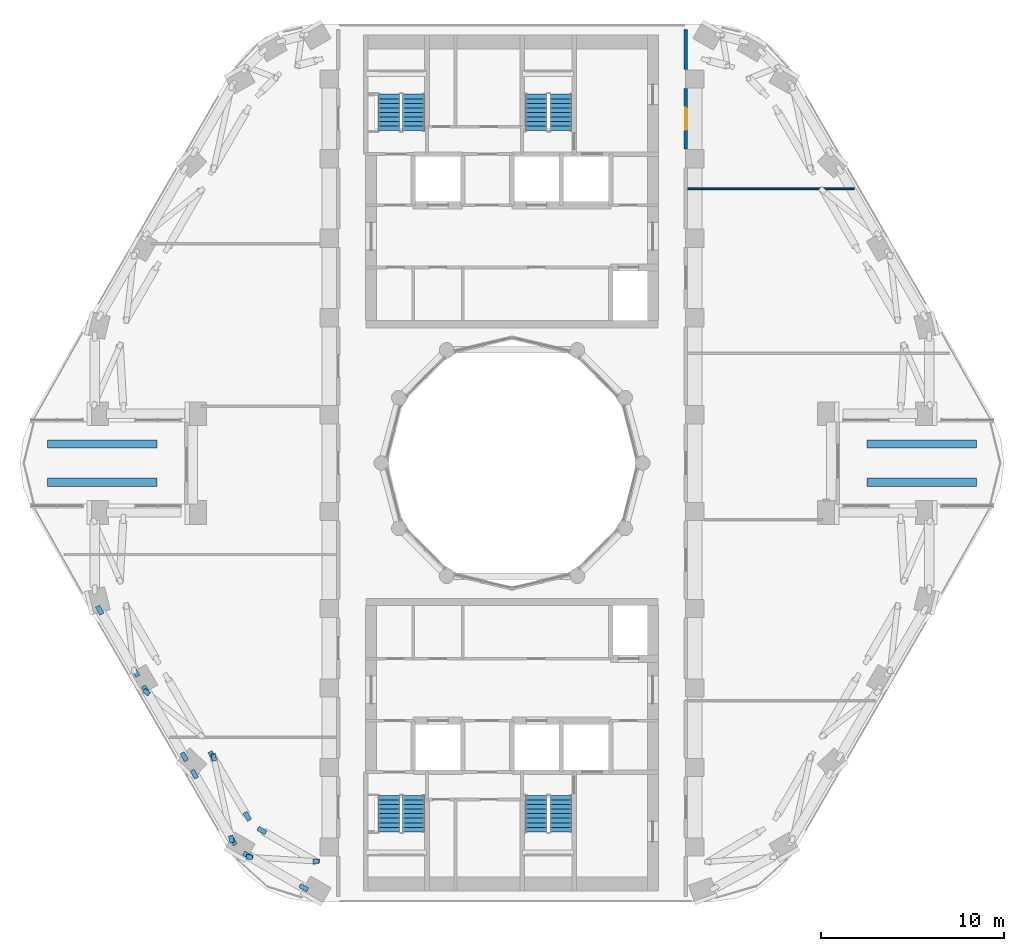
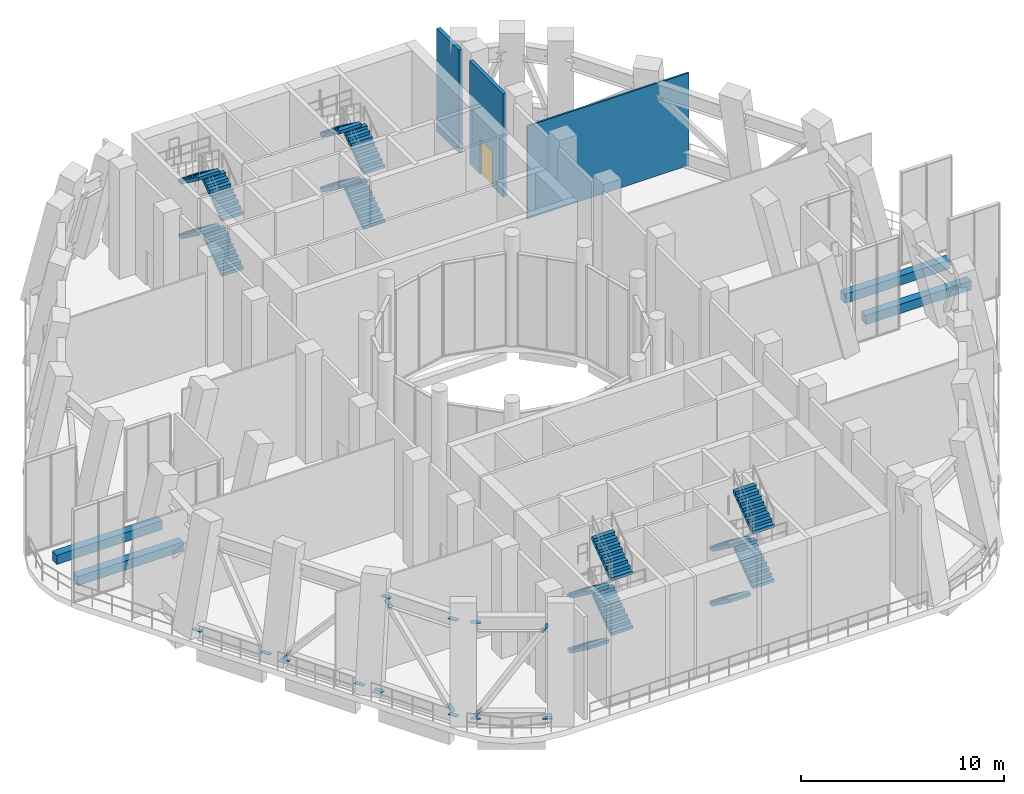
# One storey, part 11 of 19: 20 discrete accessories, 16 stair flights, 3 walls, 1 door, 1 opening, 4 elements without a shape of their own.
"""IFC4 building model written with IfcOpenShell, lengths in metres."""

from ifc_helpers import new_model, si_unit, direction, frame, frame_2d, origin, origin_2d, place, context, subcontext, project, spatial, polyline, rectangle, outline, extrude, material, layer, layer_set, material_profile, profile_set, type_object, element, fill, aggregate, save


model = new_model("IFC4")

# Units and contexts
model_context = context("Model", 3, precision=1e-05, world=origin(), true_north=direction((0.0, 1.0)))
body_context = subcontext(model_context, "Body", "Model", "MODEL_VIEW")
ifc_project = project(units=[si_unit("LENGTHUNIT", "METRE"), si_unit("AREAUNIT", "SQUARE_METRE"), si_unit("VOLUMEUNIT", "CUBIC_METRE"), si_unit("PLANEANGLEUNIT", "RADIAN"), si_unit("MASSUNIT", "GRAM", prefix="KILO")], contexts=[model_context])

# Site, building, storey
site_placement = place(None, origin())
site = spatial("IfcSite", under=ifc_project, at=site_placement, CompositionType="ELEMENT")
building_placement = place(site_placement, origin())
building = spatial("IfcBuilding", under=site, at=building_placement, Name="Nakaniwa Court", CompositionType="ELEMENT")
storey_placement = place(building_placement, frame((0.0, 0.0, 170.10009765625)))
storey = spatial("IfcBuildingStorey", under=building, at=storey_placement, Name="S3", CompositionType="ELEMENT", Elevation=170.10009765625)

# Wall, opening, door
ifc_material_1 = material(Name="Acoustic double stud partition")
ifc_layer_1 = layer(ifc_material_1, 0.199951171875)
ifc_layer_set_1 = layer_set([ifc_layer_1], Name="Acoustic double stud partition")
wall_type_1 = type_object("IfcWallType", Name="Acoustic double stud partition 200", PredefinedType="PARTITIONING", material=ifc_layer_set_1)
wall_1_placement = place(storey_placement, frame((89.5, 100.48291015625, 0.0), z_axis=(0.0, 0.0, 1.0), x_axis=(0.0, -1.0, 0.0)))
wall_1 = element("IfcWall", 1, at=wall_1_placement, inside=storey, type_object=wall_type_1, Name="Partition PW-068", PredefinedType="PARTITIONING", context=body_context, shape_type="SweptSolid", body=[
    extrude(rectangle(XDim=3.31591796875, YDim=0.199951171875, at=frame_2d((1.657958984375, 0.0))), origin(), (0.0, 0.0, 1.0), 6.18994140625),
])
opening_placement = place(wall_1_placement, frame((1.05810546875, 0.0, 0.0)))
opening = element("IfcOpeningElement", 2, at=opening_placement, cuts=wall_1, Name="Opening D-30-03", PredefinedType="OPENING", context=body_context, shape_type="SweptSolid", body=[
    extrude(rectangle(XDim=1.199951171875, YDim=2.10009765625, at=frame_2d((0.60009765625, 1.050048828125))), frame((0.0, 0.10986328125, 0.0), z_axis=(0.0, -1.0, 0.0), x_axis=(1.0, 0.0, 0.0)), (0.0, 0.0, 1.0), 0.219970703125),
])
ifc_material_2 = material(Name="Solid core timber door set, black veneer", Category="wood")
door_type = type_object("IfcDoorType", Name="Internal door 1200", OperationType="NOTDEFINED", PredefinedType="DOOR", material=ifc_material_2)
door_placement = place(opening_placement, origin())
door = element("IfcDoor", 3, at=door_placement, inside=storey, type_object=door_type, Name="Door D-30-03 S3-027", OperationType="SINGLE_SWING_RIGHT", OverallHeight=2.10009765625, OverallWidth=1.199951171875, PredefinedType="DOOR", context=body_context, shape_type="SweptSolid", body=[
    extrude(rectangle(XDim=1.199951171875, YDim=2.10009765625, at=frame_2d((0.60009765625, 1.050048828125))), frame((0.0, 0.02490234375, 0.0), z_axis=(0.0, -1.0, 0.0), x_axis=(1.0, 0.0, 0.0)), (0.0, 0.0, 1.0), 0.050048828125),
])
fill(opening, door)

# Walls
wall_2_placement = place(storey_placement, frame((89.5, 101.51708984375, 0.0), z_axis=(0.0, 0.0, 1.0), x_axis=(0.0, 1.0, 0.0)))
element("IfcWall", 4, at=wall_2_placement, inside=storey, type_object=wall_type_1, Name="Partition PW-069", PredefinedType="PARTITIONING", context=body_context, shape_type="SweptSolid", body=[
    extrude(rectangle(XDim=2.182861328125, YDim=0.199951171875, at=frame_2d((1.09130859375, 0.0))), origin(), (0.0, 0.0, 1.0), 6.18994140625),
])
ifc_material_3 = material(Name="Single stud plasterboard partition")
ifc_layer_2 = layer(ifc_material_3, 0.10009765625)
ifc_layer_set_2 = layer_set([ifc_layer_2], Name="Single stud plasterboard partition")
wall_type_2 = type_object("IfcWallType", Name="Single stud plasterboard partition 100", PredefinedType="PARTITIONING", material=ifc_layer_set_2)
wall_3_placement = place(storey_placement, frame((89.5, 95.0, 0.0), z_axis=(0.0, 0.0, 1.0), x_axis=(1.0, 0.0, 0.0)))
element("IfcWall", 5, at=wall_3_placement, inside=storey, type_object=wall_type_2, Name="Partition PW-073", PredefinedType="PARTITIONING", context=body_context, shape_type="SweptSolid", body=[
    extrude(rectangle(XDim=9.2060546875, YDim=0.10009765625, at=frame_2d((4.60302734375, 0.0))), origin(), (0.0, 0.0, 1.0), 5.56982421875),
])

# Stair, stair flights
ifc_material_4 = material(Name="Concrete C80/100", Category="concrete")
stair_type = type_object("IfcStairType", Name="Dog leg stair 1200 wide 36 risers", PredefinedType="HALF_TURN_STAIR", material=ifc_material_4)
stair_1_placement = place(storey_placement, origin())
stair_1 = element("IfcStair", 6, at=stair_1_placement, inside=storey, type_object=stair_type, Name="S3 Stair ST1", PredefinedType="HALF_TURN_STAIR")
stair_flight_type = type_object("IfcStairFlightType", Name="Stair flight 1200 wide 9 risers", PredefinedType="STRAIGHT", material=ifc_material_4)
stair_flight_1_placement = place(storey_placement, frame((74.625, 98.175048828125, 0.0), z_axis=(0.0, 0.0, 1.0), x_axis=(0.0, 1.0, 0.0)))
stair_flight_1 = element("IfcStairFlight", 7, at=stair_flight_1_placement, type_object=stair_flight_type, Name="ST1 flight 1", NumberOfRisers=9, NumberOfTreads=8, PredefinedType="STRAIGHT", RiserHeight=0.183333333, TreadLength=0.25, context=body_context, shape_type="SweptSolid", body=[
    extrude(outline(polyline([(0.0, 0.0), (0.0, 0.026123046875), (0.0, 0.052490234375), (0.0, 0.07861328125), (0.0, 0.104736328125), (0.0, 0.130859375), (0.0, 0.1572265625), (0.0, 0.183349609375), (0.25, 0.183349609375), (0.25, 0.36669921875), (0.5, 0.36669921875), (0.5, 0.550048828125), (0.75, 0.550048828125), (0.75, 0.7333984375), (1.0, 0.7333984375), (1.0, 0.916748046875), (1.25, 0.916748046875), (1.25, 1.10009765625), (1.5, 1.10009765625), (1.5, 1.283447265625), (1.75, 1.283447265625), (1.75, 1.466552734375), (2.0, 1.466552734375), (2.0, 1.64990234375), (2.0, 1.59716796875), (2.0, 1.54443359375), (2.0, 1.49169921875), (2.0, 1.43896484375), (2.0, 1.38623046875), (2.0, 1.33349609375), (2.0, 1.28076171875), (0.25341796875, 0.0), (0.0, 0.0)])), frame((0.0, 0.60009765625, 0.0), z_axis=(0.0, -1.0, 0.0), x_axis=(1.0, 0.0, 0.0)), (0.0, 0.0, 1.0), 1.199951171875),
])
stair_flight_2_placement = place(storey_placement, frame((73.27490234375, 100.175048828125, 1.64990234375), z_axis=(0.0, 0.0, 1.0), x_axis=(0.0, -1.0, 0.0)))
stair_flight_2 = element("IfcStairFlight", 8, at=stair_flight_2_placement, type_object=stair_flight_type, Name="ST1 flight 2", NumberOfRisers=9, NumberOfTreads=8, PredefinedType="STRAIGHT", RiserHeight=0.183333333, TreadLength=0.25, context=body_context, shape_type="SweptSolid", body=[
    extrude(outline(polyline([(0.0, 0.0), (0.0, 0.026123046875), (0.0, 0.052490234375), (0.0, 0.07861328125), (0.0, 0.104736328125), (0.0, 0.130859375), (0.0, 0.1572265625), (0.0, 0.183349609375), (0.25, 0.183349609375), (0.25, 0.36669921875), (0.5, 0.36669921875), (0.5, 0.550048828125), (0.75, 0.550048828125), (0.75, 0.7333984375), (1.0, 0.7333984375), (1.0, 0.916748046875), (1.25, 0.916748046875), (1.25, 1.10009765625), (1.5, 1.10009765625), (1.5, 1.283447265625), (1.75, 1.283447265625), (1.75, 1.466552734375), (2.0, 1.466552734375), (2.0, 1.64990234375), (2.0, 1.59716796875), (2.0, 1.54443359375), (2.0, 1.49169921875), (2.0, 1.43896484375), (2.0, 1.38623046875), (2.0, 1.33349609375), (2.0, 1.28076171875), (0.25341796875, 0.0), (0.0, 0.0)])), frame((0.0, 0.60009765625, 0.0), z_axis=(0.0, -1.0, 0.0), x_axis=(1.0, 0.0, 0.0)), (0.0, 0.0, 1.0), 1.199951171875),
])
stair_flight_3_placement = place(storey_placement, frame((74.625, 98.175048828125, 3.2998046875), z_axis=(0.0, 0.0, 1.0), x_axis=(0.0, 1.0, 0.0)))
stair_flight_3 = element("IfcStairFlight", 9, at=stair_flight_3_placement, type_object=stair_flight_type, Name="ST1 flight 3", NumberOfRisers=9, NumberOfTreads=8, PredefinedType="STRAIGHT", RiserHeight=0.183333333, TreadLength=0.25, context=body_context, shape_type="SweptSolid", body=[
    extrude(outline(polyline([(0.0, 0.0), (0.0, 0.026123046875), (0.0, 0.052490234375), (0.0, 0.07861328125), (0.0, 0.104736328125), (0.0, 0.130859375), (0.0, 0.1572265625), (0.0, 0.183349609375), (0.25, 0.183349609375), (0.25, 0.36669921875), (0.5, 0.36669921875), (0.5, 0.550048828125), (0.75, 0.550048828125), (0.75, 0.7333984375), (1.0, 0.7333984375), (1.0, 0.916748046875), (1.25, 0.916748046875), (1.25, 1.10009765625), (1.5, 1.10009765625), (1.5, 1.283447265625), (1.75, 1.283447265625), (1.75, 1.466552734375), (2.0, 1.466552734375), (2.0, 1.64990234375), (2.0, 1.59716796875), (2.0, 1.54443359375), (2.0, 1.49169921875), (2.0, 1.43896484375), (2.0, 1.38623046875), (2.0, 1.33349609375), (2.0, 1.28076171875), (0.25341796875, 0.0), (0.0, 0.0)])), frame((0.0, 0.60009765625, 0.0), z_axis=(0.0, -1.0, 0.0), x_axis=(1.0, 0.0, 0.0)), (0.0, 0.0, 1.0), 1.199951171875),
])
stair_flight_4_placement = place(storey_placement, frame((73.27490234375, 100.175048828125, 4.949951171875), z_axis=(0.0, 0.0, 1.0), x_axis=(0.0, -1.0, 0.0)))
stair_flight_4 = element("IfcStairFlight", 10, at=stair_flight_4_placement, type_object=stair_flight_type, Name="ST1 flight 4", NumberOfRisers=9, NumberOfTreads=8, PredefinedType="STRAIGHT", RiserHeight=0.183333333, TreadLength=0.25, context=body_context, shape_type="SweptSolid", body=[
    extrude(outline(polyline([(0.0, 0.0), (0.0, 0.026123046875), (0.0, 0.052490234375), (0.0, 0.07861328125), (0.0, 0.104736328125), (0.0, 0.130859375), (0.0, 0.1572265625), (0.0, 0.183349609375), (0.25, 0.183349609375), (0.25, 0.36669921875), (0.5, 0.36669921875), (0.5, 0.550048828125), (0.75, 0.550048828125), (0.75, 0.7333984375), (1.0, 0.7333984375), (1.0, 0.916748046875), (1.25, 0.916748046875), (1.25, 1.10009765625), (1.5, 1.10009765625), (1.5, 1.283447265625), (1.75, 1.283447265625), (1.75, 1.466552734375), (2.0, 1.466552734375), (2.0, 1.64990234375), (2.0, 1.59716796875), (2.0, 1.54443359375), (2.0, 1.49169921875), (2.0, 1.43896484375), (2.0, 1.38623046875), (2.0, 1.33349609375), (2.0, 1.28076171875), (0.25341796875, 0.0), (0.0, 0.0)])), frame((0.0, 0.60009765625, 0.0), z_axis=(0.0, -1.0, 0.0), x_axis=(1.0, 0.0, 0.0)), (0.0, 0.0, 1.0), 1.199951171875),
])
aggregate(stair_1, [stair_flight_1, stair_flight_2, stair_flight_3, stair_flight_4])

stair_2_placement = place(storey_placement, origin())
stair_2 = element("IfcStair", 11, at=stair_2_placement, inside=storey, type_object=stair_type, Name="S3 Stair ST2", PredefinedType="HALF_TURN_STAIR")
stair_flight_5_placement = place(storey_placement, frame((82.675048828125, 98.175048828125, 0.0), z_axis=(0.0, 0.0, 1.0), x_axis=(0.0, 1.0, 0.0)))
stair_flight_5 = element("IfcStairFlight", 12, at=stair_flight_5_placement, type_object=stair_flight_type, Name="ST2 flight 1", NumberOfRisers=9, NumberOfTreads=8, PredefinedType="STRAIGHT", RiserHeight=0.183333333, TreadLength=0.25, context=body_context, shape_type="SweptSolid", body=[
    extrude(outline(polyline([(0.0, 0.0), (0.0, 0.026123046875), (0.0, 0.052490234375), (0.0, 0.07861328125), (0.0, 0.104736328125), (0.0, 0.130859375), (0.0, 0.1572265625), (0.0, 0.183349609375), (0.25, 0.183349609375), (0.25, 0.36669921875), (0.5, 0.36669921875), (0.5, 0.550048828125), (0.75, 0.550048828125), (0.75, 0.7333984375), (1.0, 0.7333984375), (1.0, 0.916748046875), (1.25, 0.916748046875), (1.25, 1.10009765625), (1.5, 1.10009765625), (1.5, 1.283447265625), (1.75, 1.283447265625), (1.75, 1.466552734375), (2.0, 1.466552734375), (2.0, 1.64990234375), (2.0, 1.59716796875), (2.0, 1.54443359375), (2.0, 1.49169921875), (2.0, 1.43896484375), (2.0, 1.38623046875), (2.0, 1.33349609375), (2.0, 1.28076171875), (0.25341796875, 0.0), (0.0, 0.0)])), frame((0.0, 0.60009765625, 0.0), z_axis=(0.0, -1.0, 0.0), x_axis=(1.0, 0.0, 0.0)), (0.0, 0.0, 1.0), 1.199951171875),
])
stair_flight_6_placement = place(storey_placement, frame((81.324951171875, 100.175048828125, 1.64990234375), z_axis=(0.0, 0.0, 1.0), x_axis=(0.0, -1.0, 0.0)))
stair_flight_6 = element("IfcStairFlight", 13, at=stair_flight_6_placement, type_object=stair_flight_type, Name="ST2 flight 2", NumberOfRisers=9, NumberOfTreads=8, PredefinedType="STRAIGHT", RiserHeight=0.183333333, TreadLength=0.25, context=body_context, shape_type="SweptSolid", body=[
    extrude(outline(polyline([(0.0, 0.0), (0.0, 0.026123046875), (0.0, 0.052490234375), (0.0, 0.07861328125), (0.0, 0.104736328125), (0.0, 0.130859375), (0.0, 0.1572265625), (0.0, 0.183349609375), (0.25, 0.183349609375), (0.25, 0.36669921875), (0.5, 0.36669921875), (0.5, 0.550048828125), (0.75, 0.550048828125), (0.75, 0.7333984375), (1.0, 0.7333984375), (1.0, 0.916748046875), (1.25, 0.916748046875), (1.25, 1.10009765625), (1.5, 1.10009765625), (1.5, 1.283447265625), (1.75, 1.283447265625), (1.75, 1.466552734375), (2.0, 1.466552734375), (2.0, 1.64990234375), (2.0, 1.59716796875), (2.0, 1.54443359375), (2.0, 1.49169921875), (2.0, 1.43896484375), (2.0, 1.38623046875), (2.0, 1.33349609375), (2.0, 1.28076171875), (0.25341796875, 0.0), (0.0, 0.0)])), frame((0.0, 0.60009765625, 0.0), z_axis=(0.0, -1.0, 0.0), x_axis=(1.0, 0.0, 0.0)), (0.0, 0.0, 1.0), 1.199951171875),
])
stair_flight_7_placement = place(storey_placement, frame((82.675048828125, 98.175048828125, 3.2998046875), z_axis=(0.0, 0.0, 1.0), x_axis=(0.0, 1.0, 0.0)))
stair_flight_7 = element("IfcStairFlight", 14, at=stair_flight_7_placement, type_object=stair_flight_type, Name="ST2 flight 3", NumberOfRisers=9, NumberOfTreads=8, PredefinedType="STRAIGHT", RiserHeight=0.183333333, TreadLength=0.25, context=body_context, shape_type="SweptSolid", body=[
    extrude(outline(polyline([(0.0, 0.0), (0.0, 0.026123046875), (0.0, 0.052490234375), (0.0, 0.07861328125), (0.0, 0.104736328125), (0.0, 0.130859375), (0.0, 0.1572265625), (0.0, 0.183349609375), (0.25, 0.183349609375), (0.25, 0.36669921875), (0.5, 0.36669921875), (0.5, 0.550048828125), (0.75, 0.550048828125), (0.75, 0.7333984375), (1.0, 0.7333984375), (1.0, 0.916748046875), (1.25, 0.916748046875), (1.25, 1.10009765625), (1.5, 1.10009765625), (1.5, 1.283447265625), (1.75, 1.283447265625), (1.75, 1.466552734375), (2.0, 1.466552734375), (2.0, 1.64990234375), (2.0, 1.59716796875), (2.0, 1.54443359375), (2.0, 1.49169921875), (2.0, 1.43896484375), (2.0, 1.38623046875), (2.0, 1.33349609375), (2.0, 1.28076171875), (0.25341796875, 0.0), (0.0, 0.0)])), frame((0.0, 0.60009765625, 0.0), z_axis=(0.0, -1.0, 0.0), x_axis=(1.0, 0.0, 0.0)), (0.0, 0.0, 1.0), 1.199951171875),
])
stair_flight_8_placement = place(storey_placement, frame((81.324951171875, 100.175048828125, 4.949951171875), z_axis=(0.0, 0.0, 1.0), x_axis=(0.0, -1.0, 0.0)))
stair_flight_8 = element("IfcStairFlight", 15, at=stair_flight_8_placement, type_object=stair_flight_type, Name="ST2 flight 4", NumberOfRisers=9, NumberOfTreads=8, PredefinedType="STRAIGHT", RiserHeight=0.183333333, TreadLength=0.25, context=body_context, shape_type="SweptSolid", body=[
    extrude(outline(polyline([(0.0, 0.0), (0.0, 0.026123046875), (0.0, 0.052490234375), (0.0, 0.07861328125), (0.0, 0.104736328125), (0.0, 0.130859375), (0.0, 0.1572265625), (0.0, 0.183349609375), (0.25, 0.183349609375), (0.25, 0.36669921875), (0.5, 0.36669921875), (0.5, 0.550048828125), (0.75, 0.550048828125), (0.75, 0.7333984375), (1.0, 0.7333984375), (1.0, 0.916748046875), (1.25, 0.916748046875), (1.25, 1.10009765625), (1.5, 1.10009765625), (1.5, 1.283447265625), (1.75, 1.283447265625), (1.75, 1.466552734375), (2.0, 1.466552734375), (2.0, 1.64990234375), (2.0, 1.59716796875), (2.0, 1.54443359375), (2.0, 1.49169921875), (2.0, 1.43896484375), (2.0, 1.38623046875), (2.0, 1.33349609375), (2.0, 1.28076171875), (0.25341796875, 0.0), (0.0, 0.0)])), frame((0.0, 0.60009765625, 0.0), z_axis=(0.0, -1.0, 0.0), x_axis=(1.0, 0.0, 0.0)), (0.0, 0.0, 1.0), 1.199951171875),
])
aggregate(stair_2, [stair_flight_5, stair_flight_6, stair_flight_7, stair_flight_8])

stair_3_placement = place(storey_placement, origin())
stair_3 = element("IfcStair", 16, at=stair_3_placement, inside=storey, type_object=stair_type, Name="S3 Stair ST3", PredefinedType="HALF_TURN_STAIR")
stair_flight_9_placement = place(storey_placement, frame((73.27490234375, 61.824951171875, 0.0), z_axis=(0.0, 0.0, 1.0), x_axis=(0.0, -1.0, 0.0)))
stair_flight_9 = element("IfcStairFlight", 17, at=stair_flight_9_placement, type_object=stair_flight_type, Name="ST3 flight 1", NumberOfRisers=9, NumberOfTreads=8, PredefinedType="STRAIGHT", RiserHeight=0.183333333, TreadLength=0.25, context=body_context, shape_type="SweptSolid", body=[
    extrude(outline(polyline([(0.0, 0.0), (0.0, 0.026123046875), (0.0, 0.052490234375), (0.0, 0.07861328125), (0.0, 0.104736328125), (0.0, 0.130859375), (0.0, 0.1572265625), (0.0, 0.183349609375), (0.25, 0.183349609375), (0.25, 0.36669921875), (0.5, 0.36669921875), (0.5, 0.550048828125), (0.75, 0.550048828125), (0.75, 0.7333984375), (1.0, 0.7333984375), (1.0, 0.916748046875), (1.25, 0.916748046875), (1.25, 1.10009765625), (1.5, 1.10009765625), (1.5, 1.283447265625), (1.75, 1.283447265625), (1.75, 1.466552734375), (2.0, 1.466552734375), (2.0, 1.64990234375), (2.0, 1.59716796875), (2.0, 1.54443359375), (2.0, 1.49169921875), (2.0, 1.43896484375), (2.0, 1.38623046875), (2.0, 1.33349609375), (2.0, 1.28076171875), (0.25341796875, 0.0), (0.0, 0.0)])), frame((0.0, 0.60009765625, 0.0), z_axis=(0.0, -1.0, 0.0), x_axis=(1.0, 0.0, 0.0)), (0.0, 0.0, 1.0), 1.199951171875),
])
stair_flight_10_placement = place(storey_placement, frame((74.625, 59.824951171875, 1.64990234375), z_axis=(0.0, 0.0, 1.0), x_axis=(0.0, 1.0, 0.0)))
stair_flight_10 = element("IfcStairFlight", 18, at=stair_flight_10_placement, type_object=stair_flight_type, Name="ST3 flight 2", NumberOfRisers=9, NumberOfTreads=8, PredefinedType="STRAIGHT", RiserHeight=0.183333333, TreadLength=0.25, context=body_context, shape_type="SweptSolid", body=[
    extrude(outline(polyline([(0.0, 0.0), (0.0, 0.026123046875), (0.0, 0.052490234375), (0.0, 0.07861328125), (0.0, 0.104736328125), (0.0, 0.130859375), (0.0, 0.1572265625), (0.0, 0.183349609375), (0.25, 0.183349609375), (0.25, 0.36669921875), (0.5, 0.36669921875), (0.5, 0.550048828125), (0.75, 0.550048828125), (0.75, 0.7333984375), (1.0, 0.7333984375), (1.0, 0.916748046875), (1.25, 0.916748046875), (1.25, 1.10009765625), (1.5, 1.10009765625), (1.5, 1.283447265625), (1.75, 1.283447265625), (1.75, 1.466552734375), (2.0, 1.466552734375), (2.0, 1.64990234375), (2.0, 1.59716796875), (2.0, 1.54443359375), (2.0, 1.49169921875), (2.0, 1.43896484375), (2.0, 1.38623046875), (2.0, 1.33349609375), (2.0, 1.28076171875), (0.25341796875, 0.0), (0.0, 0.0)])), frame((0.0, 0.60009765625, 0.0), z_axis=(0.0, -1.0, 0.0), x_axis=(1.0, 0.0, 0.0)), (0.0, 0.0, 1.0), 1.199951171875),
])
stair_flight_11_placement = place(storey_placement, frame((73.27490234375, 61.824951171875, 3.2998046875), z_axis=(0.0, 0.0, 1.0), x_axis=(0.0, -1.0, 0.0)))
stair_flight_11 = element("IfcStairFlight", 19, at=stair_flight_11_placement, type_object=stair_flight_type, Name="ST3 flight 3", NumberOfRisers=9, NumberOfTreads=8, PredefinedType="STRAIGHT", RiserHeight=0.183333333, TreadLength=0.25, context=body_context, shape_type="SweptSolid", body=[
    extrude(outline(polyline([(0.0, 0.0), (0.0, 0.026123046875), (0.0, 0.052490234375), (0.0, 0.07861328125), (0.0, 0.104736328125), (0.0, 0.130859375), (0.0, 0.1572265625), (0.0, 0.183349609375), (0.25, 0.183349609375), (0.25, 0.36669921875), (0.5, 0.36669921875), (0.5, 0.550048828125), (0.75, 0.550048828125), (0.75, 0.7333984375), (1.0, 0.7333984375), (1.0, 0.916748046875), (1.25, 0.916748046875), (1.25, 1.10009765625), (1.5, 1.10009765625), (1.5, 1.283447265625), (1.75, 1.283447265625), (1.75, 1.466552734375), (2.0, 1.466552734375), (2.0, 1.64990234375), (2.0, 1.59716796875), (2.0, 1.54443359375), (2.0, 1.49169921875), (2.0, 1.43896484375), (2.0, 1.38623046875), (2.0, 1.33349609375), (2.0, 1.28076171875), (0.25341796875, 0.0), (0.0, 0.0)])), frame((0.0, 0.60009765625, 0.0), z_axis=(0.0, -1.0, 0.0), x_axis=(1.0, 0.0, 0.0)), (0.0, 0.0, 1.0), 1.199951171875),
])
stair_flight_12_placement = place(storey_placement, frame((74.625, 59.824951171875, 4.949951171875), z_axis=(0.0, 0.0, 1.0), x_axis=(0.0, 1.0, 0.0)))
stair_flight_12 = element("IfcStairFlight", 20, at=stair_flight_12_placement, type_object=stair_flight_type, Name="ST3 flight 4", NumberOfRisers=9, NumberOfTreads=8, PredefinedType="STRAIGHT", RiserHeight=0.183333333, TreadLength=0.25, context=body_context, shape_type="SweptSolid", body=[
    extrude(outline(polyline([(0.0, 0.0), (0.0, 0.026123046875), (0.0, 0.052490234375), (0.0, 0.07861328125), (0.0, 0.104736328125), (0.0, 0.130859375), (0.0, 0.1572265625), (0.0, 0.183349609375), (0.25, 0.183349609375), (0.25, 0.36669921875), (0.5, 0.36669921875), (0.5, 0.550048828125), (0.75, 0.550048828125), (0.75, 0.7333984375), (1.0, 0.7333984375), (1.0, 0.916748046875), (1.25, 0.916748046875), (1.25, 1.10009765625), (1.5, 1.10009765625), (1.5, 1.283447265625), (1.75, 1.283447265625), (1.75, 1.466552734375), (2.0, 1.466552734375), (2.0, 1.64990234375), (2.0, 1.59716796875), (2.0, 1.54443359375), (2.0, 1.49169921875), (2.0, 1.43896484375), (2.0, 1.38623046875), (2.0, 1.33349609375), (2.0, 1.28076171875), (0.25341796875, 0.0), (0.0, 0.0)])), frame((0.0, 0.60009765625, 0.0), z_axis=(0.0, -1.0, 0.0), x_axis=(1.0, 0.0, 0.0)), (0.0, 0.0, 1.0), 1.199951171875),
])
aggregate(stair_3, [stair_flight_9, stair_flight_10, stair_flight_11, stair_flight_12])

stair_4_placement = place(storey_placement, origin())
stair_4 = element("IfcStair", 21, at=stair_4_placement, inside=storey, type_object=stair_type, Name="S3 Stair ST4", PredefinedType="HALF_TURN_STAIR")
stair_flight_13_placement = place(storey_placement, frame((81.324951171875, 61.824951171875, 0.0), z_axis=(0.0, 0.0, 1.0), x_axis=(0.0, -1.0, 0.0)))
stair_flight_13 = element("IfcStairFlight", 22, at=stair_flight_13_placement, type_object=stair_flight_type, Name="ST4 flight 1", NumberOfRisers=9, NumberOfTreads=8, PredefinedType="STRAIGHT", RiserHeight=0.183333333, TreadLength=0.25, context=body_context, shape_type="SweptSolid", body=[
    extrude(outline(polyline([(0.0, 0.0), (0.0, 0.026123046875), (0.0, 0.052490234375), (0.0, 0.07861328125), (0.0, 0.104736328125), (0.0, 0.130859375), (0.0, 0.1572265625), (0.0, 0.183349609375), (0.25, 0.183349609375), (0.25, 0.36669921875), (0.5, 0.36669921875), (0.5, 0.550048828125), (0.75, 0.550048828125), (0.75, 0.7333984375), (1.0, 0.7333984375), (1.0, 0.916748046875), (1.25, 0.916748046875), (1.25, 1.10009765625), (1.5, 1.10009765625), (1.5, 1.283447265625), (1.75, 1.283447265625), (1.75, 1.466552734375), (2.0, 1.466552734375), (2.0, 1.64990234375), (2.0, 1.59716796875), (2.0, 1.54443359375), (2.0, 1.49169921875), (2.0, 1.43896484375), (2.0, 1.38623046875), (2.0, 1.33349609375), (2.0, 1.28076171875), (0.25341796875, 0.0), (0.0, 0.0)])), frame((0.0, 0.60009765625, 0.0), z_axis=(0.0, -1.0, 0.0), x_axis=(1.0, 0.0, 0.0)), (0.0, 0.0, 1.0), 1.199951171875),
])
stair_flight_14_placement = place(storey_placement, frame((82.675048828125, 59.824951171875, 1.64990234375), z_axis=(0.0, 0.0, 1.0), x_axis=(0.0, 1.0, 0.0)))
stair_flight_14 = element("IfcStairFlight", 23, at=stair_flight_14_placement, type_object=stair_flight_type, Name="ST4 flight 2", NumberOfRisers=9, NumberOfTreads=8, PredefinedType="STRAIGHT", RiserHeight=0.183333333, TreadLength=0.25, context=body_context, shape_type="SweptSolid", body=[
    extrude(outline(polyline([(0.0, 0.0), (0.0, 0.026123046875), (0.0, 0.052490234375), (0.0, 0.07861328125), (0.0, 0.104736328125), (0.0, 0.130859375), (0.0, 0.1572265625), (0.0, 0.183349609375), (0.25, 0.183349609375), (0.25, 0.36669921875), (0.5, 0.36669921875), (0.5, 0.550048828125), (0.75, 0.550048828125), (0.75, 0.7333984375), (1.0, 0.7333984375), (1.0, 0.916748046875), (1.25, 0.916748046875), (1.25, 1.10009765625), (1.5, 1.10009765625), (1.5, 1.283447265625), (1.75, 1.283447265625), (1.75, 1.466552734375), (2.0, 1.466552734375), (2.0, 1.64990234375), (2.0, 1.59716796875), (2.0, 1.54443359375), (2.0, 1.49169921875), (2.0, 1.43896484375), (2.0, 1.38623046875), (2.0, 1.33349609375), (2.0, 1.28076171875), (0.25341796875, 0.0), (0.0, 0.0)])), frame((0.0, 0.60009765625, 0.0), z_axis=(0.0, -1.0, 0.0), x_axis=(1.0, 0.0, 0.0)), (0.0, 0.0, 1.0), 1.199951171875),
])
stair_flight_15_placement = place(storey_placement, frame((81.324951171875, 61.824951171875, 3.2998046875), z_axis=(0.0, 0.0, 1.0), x_axis=(0.0, -1.0, 0.0)))
stair_flight_15 = element("IfcStairFlight", 24, at=stair_flight_15_placement, type_object=stair_flight_type, Name="ST4 flight 3", NumberOfRisers=9, NumberOfTreads=8, PredefinedType="STRAIGHT", RiserHeight=0.183333333, TreadLength=0.25, context=body_context, shape_type="SweptSolid", body=[
    extrude(outline(polyline([(0.0, 0.0), (0.0, 0.026123046875), (0.0, 0.052490234375), (0.0, 0.07861328125), (0.0, 0.104736328125), (0.0, 0.130859375), (0.0, 0.1572265625), (0.0, 0.183349609375), (0.25, 0.183349609375), (0.25, 0.36669921875), (0.5, 0.36669921875), (0.5, 0.550048828125), (0.75, 0.550048828125), (0.75, 0.7333984375), (1.0, 0.7333984375), (1.0, 0.916748046875), (1.25, 0.916748046875), (1.25, 1.10009765625), (1.5, 1.10009765625), (1.5, 1.283447265625), (1.75, 1.283447265625), (1.75, 1.466552734375), (2.0, 1.466552734375), (2.0, 1.64990234375), (2.0, 1.59716796875), (2.0, 1.54443359375), (2.0, 1.49169921875), (2.0, 1.43896484375), (2.0, 1.38623046875), (2.0, 1.33349609375), (2.0, 1.28076171875), (0.25341796875, 0.0), (0.0, 0.0)])), frame((0.0, 0.60009765625, 0.0), z_axis=(0.0, -1.0, 0.0), x_axis=(1.0, 0.0, 0.0)), (0.0, 0.0, 1.0), 1.199951171875),
])
stair_flight_16_placement = place(storey_placement, frame((82.675048828125, 59.824951171875, 4.949951171875), z_axis=(0.0, 0.0, 1.0), x_axis=(0.0, 1.0, 0.0)))
stair_flight_16 = element("IfcStairFlight", 25, at=stair_flight_16_placement, type_object=stair_flight_type, Name="ST4 flight 4", NumberOfRisers=9, NumberOfTreads=8, PredefinedType="STRAIGHT", RiserHeight=0.183333333, TreadLength=0.25, context=body_context, shape_type="SweptSolid", body=[
    extrude(outline(polyline([(0.0, 0.0), (0.0, 0.026123046875), (0.0, 0.052490234375), (0.0, 0.07861328125), (0.0, 0.104736328125), (0.0, 0.130859375), (0.0, 0.1572265625), (0.0, 0.183349609375), (0.25, 0.183349609375), (0.25, 0.36669921875), (0.5, 0.36669921875), (0.5, 0.550048828125), (0.75, 0.550048828125), (0.75, 0.7333984375), (1.0, 0.7333984375), (1.0, 0.916748046875), (1.25, 0.916748046875), (1.25, 1.10009765625), (1.5, 1.10009765625), (1.5, 1.283447265625), (1.75, 1.283447265625), (1.75, 1.466552734375), (2.0, 1.466552734375), (2.0, 1.64990234375), (2.0, 1.59716796875), (2.0, 1.54443359375), (2.0, 1.49169921875), (2.0, 1.43896484375), (2.0, 1.38623046875), (2.0, 1.33349609375), (2.0, 1.28076171875), (0.25341796875, 0.0), (0.0, 0.0)])), frame((0.0, 0.60009765625, 0.0), z_axis=(0.0, -1.0, 0.0), x_axis=(1.0, 0.0, 0.0)), (0.0, 0.0, 1.0), 1.199951171875),
])
aggregate(stair_4, [stair_flight_13, stair_flight_14, stair_flight_15, stair_flight_16])

# Discrete accessories
ifc_material_5 = material(Name="Precast concrete C40/50 planter with planted soil", Category="concrete")
discrete_accessory_type_1 = type_object("IfcDiscreteAccessoryType", Name="Planter box charcoal concrete", PredefinedType="USERDEFINED", material=ifc_material_5)
for number, where, z_axis, x_axis, name in (
    (26, (57.591552734375, 78.949951171875, 0.0), (0.0, 0.0, 1.0), (1.0, 0.0, 0.0), "S3 sky garden PLANTER 1.1"),
    (27, (57.591552734375, 81.050048828125, 0.0), (0.0, 0.0, 1.0), (1.0, 0.0, 0.0), "S3 sky garden PLANTER 1.2"),
    (28, (102.408447265625, 78.949951171875, 0.0), (0.0, 0.0, 1.0), (1.0, 0.0, 0.0), "S3 sky garden PLANTER 2.1"),
    (29, (102.408447265625, 81.050048828125, 0.0), (0.0, 0.0, 1.0), (1.0, 0.0, 0.0), "S3 sky garden PLANTER 2.2"),
):
    element("IfcDiscreteAccessory", number, at=place(storey_placement, frame(where, z_axis=z_axis, x_axis=x_axis)), inside=storey, type_object=discrete_accessory_type_1, Name=name, ObjectType="PLANTER", PredefinedType="USERDEFINED", context=body_context, shape_type="SweptSolid", body=[
        extrude(rectangle(XDim=6.0, YDim=0.449951171875, at=origin_2d()), origin(), (0.0, 0.0, 1.0), 0.550048828125),
    ])
ifc_material_6 = material(Name="Steel Grade 350", Category="steel")
ifc_material_profile = material_profile(ifc_material_6, rectangle(XDim=0.25, YDim=0.02001953125, at=origin_2d()), Name="Truss end gusset plate 250x20")
ifc_profile_set = profile_set([ifc_material_profile], Name="Steel Grade 350")
discrete_accessory_type_2 = type_object("IfcDiscreteAccessoryType", Name="Truss end gusset plate 250x20", PredefinedType="BRACKET", material=ifc_profile_set)
for number, where, z_axis, x_axis, name in (
    (30, (57.5771484375, 71.737548828125, 0.4580078125), (-0.500131122175, 0.865949687125, 0.0), (-0.865949687125, -0.500131122175, 0.0), "Gusset plate GU-374"),
    (31, (59.29150390625, 68.76806640625, 0.4580078125), (0.500131122175, -0.865949687125, 0.0), (0.865949687125, 0.500131122175, 0.0), "Gusset plate GU-375"),
    (32, (60.091552734375, 67.382568359375, 0.4580078125), (-0.500131122175, 0.865949687125, 0.0), (-0.865949687125, -0.500131122175, 0.0), "Gusset plate GU-379"),
):
    element("IfcDiscreteAccessory", number, at=place(storey_placement, frame(where, z_axis=z_axis, x_axis=x_axis)), inside=storey, type_object=discrete_accessory_type_2, Name=name, PredefinedType="BRACKET", context=body_context, shape_type="SweptSolid", body=[
        extrude(rectangle(XDim=0.25, YDim=0.02001953125, at=origin_2d()), origin(), (0.0, 0.0, 1.0), 0.499755859375),
    ])
for number, where, z_axis, x_axis, name in (
    (33, (61.95458984375, 64.15576171875, 0.4580078125), (0.499919672301, -0.866071776036, 0.0), (0.866071776036, 0.499919672301, 0.0), "Gusset plate GU-380"),
    (34, (60.148681640625, 67.3603515625, 1.02294921875), (-0.547960203667, 0.436610001852, -0.713520372155), (-0.623163735952, -0.782091400154, 0.0), "Gusset plate GU-382"),
    (35, (62.75439453125, 62.77001953125, 0.4580078125), (-0.499919672301, 0.866071776036, 0.0), (-0.866071776036, -0.499919672301, 0.0), "Gusset plate GU-384"),
):
    element("IfcDiscreteAccessory", number, at=place(storey_placement, frame(where, z_axis=z_axis, x_axis=x_axis)), inside=storey, type_object=discrete_accessory_type_2, Name=name, PredefinedType="BRACKET", context=body_context, shape_type="SweptSolid", body=[
        extrude(rectangle(XDim=0.25, YDim=0.02001953125, at=origin_2d()), origin(), (0.0, 0.0, 1.0), 0.5),
    ])
for number, where, z_axis, x_axis, name in (
    (36, (64.61474609375, 59.548095703125, 0.4580078125), (0.500131122175, -0.865949687125, 0.0), (0.865949687125, 0.500131122175, 0.0), "Gusset plate GU-385"),
    (37, (63.728759765625, 63.78271484375, 5.1318359375), (-0.500131122175, 0.865949687125, 0.0), (-0.865949687125, -0.500131122175, 0.0), "Gusset plate GU-386"),
):
    element("IfcDiscreteAccessory", number, at=place(storey_placement, frame(where, z_axis=z_axis, x_axis=x_axis)), inside=storey, type_object=discrete_accessory_type_2, Name=name, PredefinedType="BRACKET", context=body_context, shape_type="SweptSolid", body=[
        extrude(rectangle(XDim=0.25, YDim=0.02001953125, at=origin_2d()), origin(), (0.0, 0.0, 1.0), 0.499755859375),
    ])
for number, where, z_axis, x_axis, name in (
    (38, (65.39404296875, 60.898193359375, 5.1318359375), (0.499919672301, -0.866071776036, 0.0), (0.866071776036, 0.499919672301, 0.0), "Gusset plate GU-387"),
    (39, (63.72802734375, 63.714111328125, 4.576904296875), (-0.161637318784, 0.744703659052, 0.647525935674), (-0.97724571432, -0.212110381272, 0.0), "Gusset plate GU-388"),
    (40, (64.615478515625, 59.61669921875, 1.012939453125), (0.161637318784, -0.744703659052, -0.647525935674), (0.97724571432, 0.212110381272, 0.0), "Gusset plate GU-389"),
):
    element("IfcDiscreteAccessory", number, at=place(storey_placement, frame(where, z_axis=z_axis, x_axis=x_axis)), inside=storey, type_object=discrete_accessory_type_2, Name=name, PredefinedType="BRACKET", context=body_context, shape_type="SweptSolid", body=[
        extrude(rectangle(XDim=0.25, YDim=0.02001953125, at=origin_2d()), origin(), (0.0, 0.0, 1.0), 0.5),
    ])
for number, where, z_axis, x_axis, name in (
    (41, (65.756591796875, 58.423583984375, 0.4580078125), (-0.865949687125, 0.500131122175, 0.0), (-0.500131122175, -0.865949687125, 0.0), "Gusset plate GU-390"),
    (42, (68.3955078125, 56.900390625, 0.4580078125), (0.865949687125, -0.500131122175, 0.0), (0.500131122175, 0.865949687125, 0.0), "Gusset plate GU-391"),
):
    element("IfcDiscreteAccessory", number, at=place(storey_placement, frame(where, z_axis=z_axis, x_axis=x_axis)), inside=storey, type_object=discrete_accessory_type_2, Name=name, PredefinedType="BRACKET", context=body_context, shape_type="SweptSolid", body=[
        extrude(rectangle(XDim=0.25, YDim=0.02001953125, at=origin_2d()), origin(), (0.0, 0.0, 1.0), 0.499755859375),
    ])
for number, where, z_axis, x_axis, name in (
    (43, (66.5361328125, 59.773681640625, 5.1318359375), (-0.866071776036, 0.499919672301, 0.0), (-0.499919672301, -0.866071776036, 0.0), "Gusset plate GU-392"),
    (44, (65.815673828125, 58.442138671875, 1.025390625), (-0.681604143134, 0.0434547054, -0.73042965482), (-0.063624411462, -0.997973914622, 0.0), "Gusset plate GU-393"),
    (45, (69.115966796875, 58.231689453125, 4.564208984375), (0.68111385836, -0.042966322248, 0.730915731875), (0.06295729571, 0.99801622177, 0.0), "Gusset plate GU-394"),
):
    element("IfcDiscreteAccessory", number, at=place(storey_placement, frame(where, z_axis=z_axis, x_axis=x_axis)), inside=storey, type_object=discrete_accessory_type_2, Name=name, PredefinedType="BRACKET", context=body_context, shape_type="SweptSolid", body=[
        extrude(rectangle(XDim=0.25, YDim=0.02001953125, at=origin_2d()), origin(), (0.0, 0.0, 1.0), 0.5),
    ])

save(model, "model.ifc")
